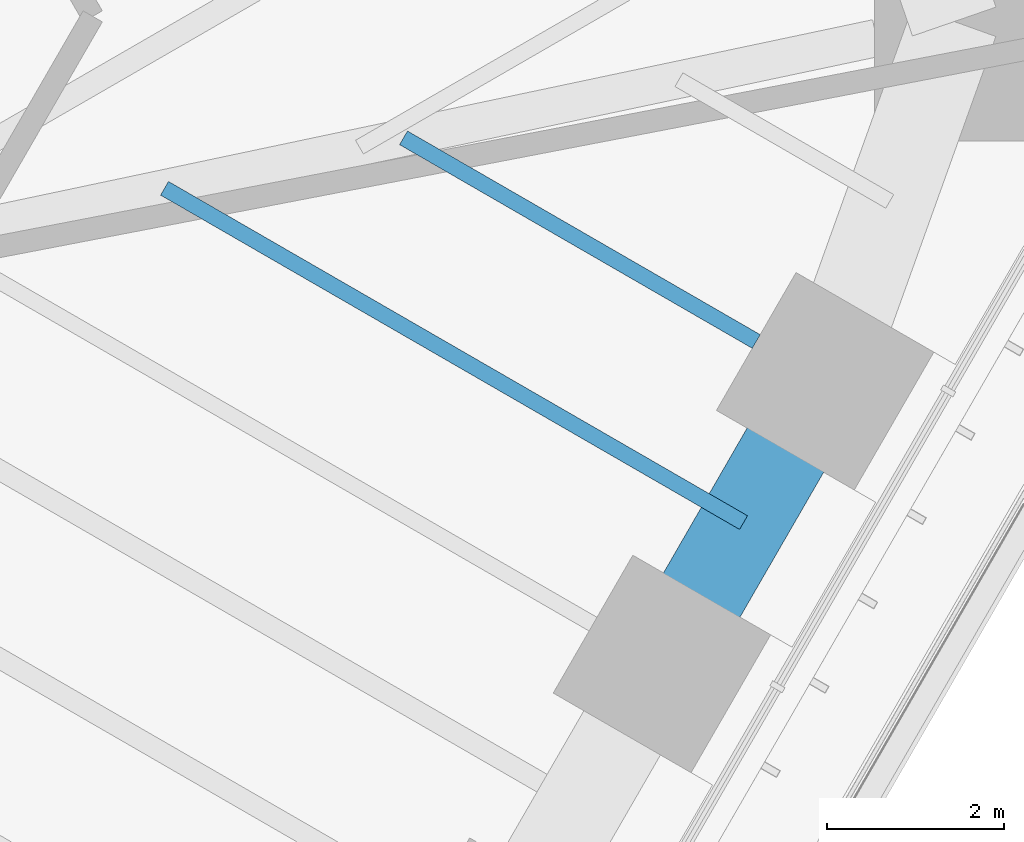
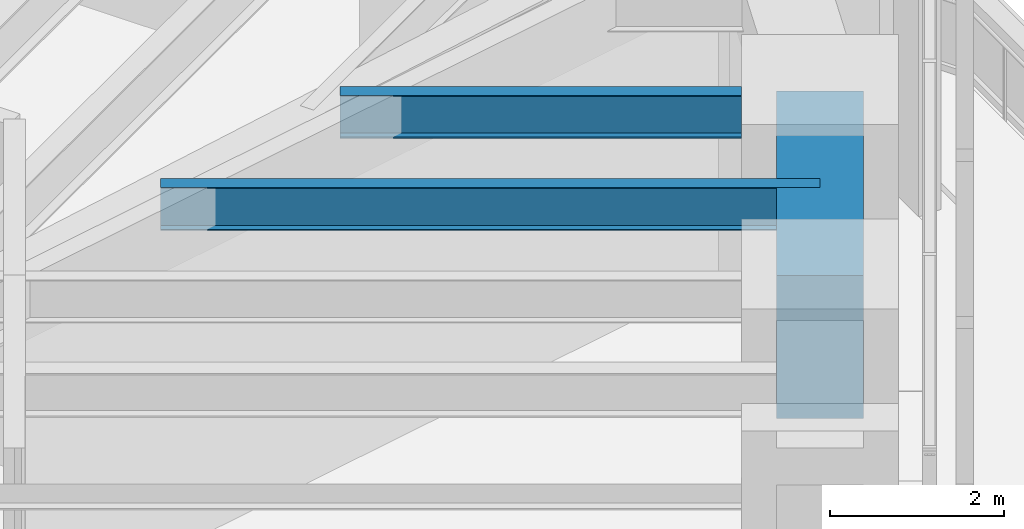
# One storey, part 120 of 228: 3 beams.
"""IFC4 building model written with IfcOpenShell, lengths in metres."""

from ifc_helpers import new_model, si_unit, direction, frame, origin, origin_2d, place, context, subcontext, project, spatial, rectangle, i_section, extrude, material, material_profile, profile_set, type_object, element, save


model = new_model("IFC4")

# Units and contexts
model_context = context("Model", 3, precision=1e-05, world=origin(), true_north=direction((0.0, 1.0)))
body_context = subcontext(model_context, "Body", "Model", "MODEL_VIEW")
ifc_project = project(units=[si_unit("LENGTHUNIT", "METRE"), si_unit("AREAUNIT", "SQUARE_METRE"), si_unit("VOLUMEUNIT", "CUBIC_METRE"), si_unit("PLANEANGLEUNIT", "RADIAN"), si_unit("MASSUNIT", "GRAM", prefix="KILO")], contexts=[model_context])

# Site, building, storey
site_placement = place(None, origin())
site = spatial("IfcSite", under=ifc_project, at=site_placement, CompositionType="ELEMENT")
building_placement = place(site_placement, origin())
building = spatial("IfcBuilding", under=site, at=building_placement, Name="Sandreach Pilgrim Tower", CompositionType="ELEMENT")
storey_placement = place(building_placement, frame((0.0, 0.0, 178.199951171875)))
storey = spatial("IfcBuildingStorey", under=building, at=storey_placement, Name="L44", CompositionType="ELEMENT", Elevation=178.199951171875)

# Beams
ifc_material_1 = material(Name="Steel ASTM A992 Grade 50", Category="steel")
ifc_material_profile_1 = material_profile(ifc_material_1, i_section(OverallWidth=0.1787109375, OverallDepth=0.60205078125, WebThickness=0.010986328125, FlangeThickness=0.014892578125, at=origin_2d()), Name="W24X62")
ifc_profile_set_1 = profile_set([ifc_material_profile_1], Name="Steel ASTM A992 Grade 50")
beam_type_1 = type_object("IfcBeamType", Name="Floor beam W24X62", PredefinedType="BEAM", material=ifc_profile_set_1)
beam_1_placement = place(storey_placement, frame((22.91650390625, 1.692138671875, 4.5390625), z_axis=(-0.866030286288, 0.49999154316, 0.0), x_axis=(-0.49999154316, -0.866030286288, 0.0)))
element("IfcBeam", 1, at=beam_1_placement, inside=storey, type_object=beam_type_1, Name="BM L44 F14", PredefinedType="BEAM", context=body_context, shape_type="SweptSolid", body=[
    extrude(i_section(OverallWidth=0.1787109375, OverallDepth=0.60205078125, WebThickness=0.010986328125, FlangeThickness=0.014892578125, at=origin_2d()), origin(), (0.0, 0.0, 1.0), 4.607421875),
])
beam_2_placement = place(storey_placement, frame((22.772705078125, -0.356689453125, 4.5390625), z_axis=(-0.866029704776, 0.49999255039, 0.0), x_axis=(-0.49999255039, -0.866029704776, 0.0)))
element("IfcBeam", 2, at=beam_2_placement, inside=storey, type_object=beam_type_1, Name="BM L44 FM14", PredefinedType="BEAM", context=body_context, shape_type="SweptSolid", body=[
    extrude(i_section(OverallWidth=0.1787109375, OverallDepth=0.60205078125, WebThickness=0.010986328125, FlangeThickness=0.014892578125, at=origin_2d()), origin(), (0.0, 0.0, 1.0), 7.5634765625),
])
ifc_material_2 = material(Name="Concrete 10000 psi", Category="concrete")
ifc_material_profile_2 = material_profile(ifc_material_2, rectangle(XDim=1.0, YDim=2.0, at=origin_2d()), Name="RC1000X2000")
ifc_profile_set_2 = profile_set([ifc_material_profile_2], Name="Concrete 10000 psi")
beam_type_2 = type_object("IfcBeamType", Name="Spandrel beam RC1000X2000", PredefinedType="SPANDREL", material=ifc_profile_set_2)
beam_3_placement = place(storey_placement, frame((23.69580078125, 1.2421875, 3.840087890625), z_axis=(-0.499993363642, -0.866029235253, 0.0), x_axis=(0.866029235253, -0.499993363642, 0.0)))
element("IfcBeam", 3, at=beam_3_placement, inside=storey, type_object=beam_type_2, Name="BM L44 SP14", PredefinedType="SPANDREL", context=body_context, shape_type="SweptSolid", body=[
    extrude(rectangle(XDim=1.0, YDim=2.0, at=origin_2d()), origin(), (0.0, 0.0, 1.0), 3.6923828125),
])

save(model, "model.ifc")
